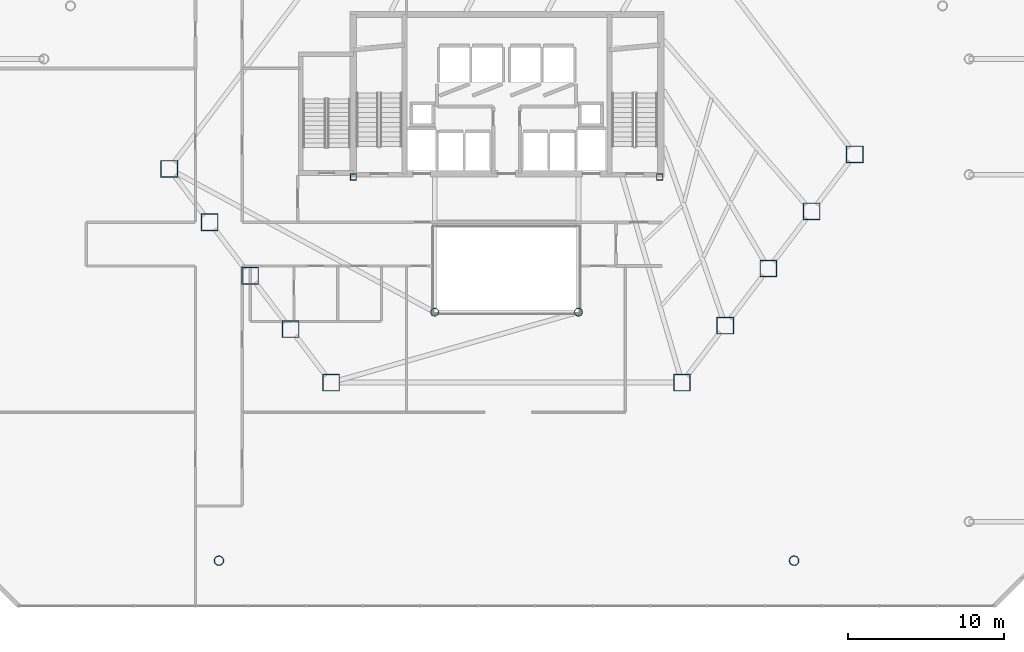
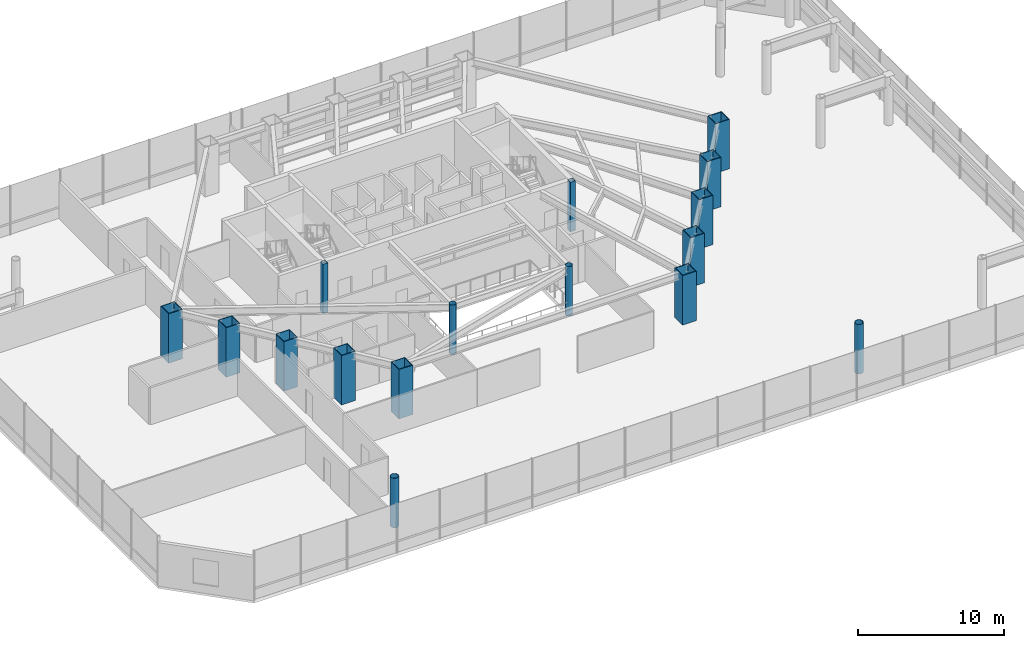
# One storey, part 1 of 37: 16 columns.
"""IFC4 building model written with IfcOpenShell, lengths in metres."""

from ifc_helpers import new_model, si_unit, direction, frame, origin, origin_2d, place, context, subcontext, project, spatial, hollow_rectangle, hollow_circle, extrude, material, material_profile, profile_set, type_object, element, save


model = new_model("IFC4")

# Units and contexts
model_context = context("Model", 3, precision=1e-05, world=origin(), true_north=direction((0.0, 1.0)))
body_context = subcontext(model_context, "Body", "Model", "MODEL_VIEW")
ifc_project = project(units=[si_unit("LENGTHUNIT", "METRE"), si_unit("AREAUNIT", "SQUARE_METRE"), si_unit("VOLUMEUNIT", "CUBIC_METRE"), si_unit("PLANEANGLEUNIT", "RADIAN"), si_unit("MASSUNIT", "GRAM", prefix="KILO")], contexts=[model_context])

# Site, building, storey
site_placement = place(None, origin())
site = spatial("IfcSite", under=ifc_project, at=site_placement, CompositionType="ELEMENT")
building_placement = place(site_placement, origin())
building = spatial("IfcBuilding", under=site, at=building_placement, Name="Zarrinselat Tower", CompositionType="ELEMENT")
storey_placement = place(building_placement, frame((0.0, 0.0, 13.93994140625)))
storey = spatial("IfcBuildingStorey", under=building, at=storey_placement, Name="L03", CompositionType="ELEMENT", Elevation=13.93994140625)

# Columns
ifc_material_1 = material(Name="Steel S355J2", Category="steel")
ifc_material_profile_1 = material_profile(ifc_material_1, hollow_circle(Radius=0.25390625, WallThickness=0.02001953125, at=origin_2d()), Name="CHS 508x20")
ifc_profile_set_1 = profile_set([ifc_material_profile_1], Name="Steel S355J2")
column_type_1 = type_object("IfcColumnType", Name="COL-CHS508", PredefinedType="COLUMN", material=ifc_profile_set_1)
for number, where, z_axis, x_axis, name in (
    (1, (33.800048828125, 24.39990234375, 0.0), (0.0, 0.0, 1.0), (1.0, 0.0, 0.0), "L03 Atrium Corner Column 1"),
    (2, (43.0, 24.39990234375, 0.0), (0.0, 0.0, 1.0), (1.0, 0.0, 0.0), "L03 Atrium Corner Column 2"),
):
    element("IfcColumn", number, at=place(storey_placement, frame(where, z_axis=z_axis, x_axis=x_axis)), inside=storey, type_object=column_type_1, Name=name, PredefinedType="COLUMN", context=body_context, shape_type="SweptSolid", body=[
        extrude(hollow_circle(Radius=0.25390625, WallThickness=0.02001953125, at=origin_2d()), origin(), (0.0, 0.0, 1.0), 4.14013671875),
    ])
ifc_material_2 = material(Name="Steel S355J2", Category="steel")
ifc_material_profile_2 = material_profile(ifc_material_2, hollow_circle(Radius=0.304931640625, WallThickness=0.02490234375, at=origin_2d()), Name="CHS 610x25")
ifc_profile_set_2 = profile_set([ifc_material_profile_2], Name="Steel S355J2")
column_type_2 = type_object("IfcColumnType", Name="COL-CHS610", PredefinedType="COLUMN", material=ifc_profile_set_2)
for number, where, z_axis, x_axis, name in (
    (3, (20.0, 8.5, 0.0), (0.0, 0.0, 1.0), (1.0, 0.0, 0.0), "L03 Garden Deck Support Column 1"),
    (4, (56.800048828125, 8.5, 0.0), (0.0, 0.0, 1.0), (1.0, 0.0, 0.0), "L03 Garden Deck Support Column 2"),
):
    element("IfcColumn", number, at=place(storey_placement, frame(where, z_axis=z_axis, x_axis=x_axis)), inside=storey, type_object=column_type_2, Name=name, PredefinedType="COLUMN", context=body_context, shape_type="SweptSolid", body=[
        extrude(hollow_circle(Radius=0.304931640625, WallThickness=0.02490234375, at=origin_2d()), origin(), (0.0, 0.0, 1.0), 4.14013671875),
    ])
ifc_material_3 = material(Name="Steel S460M", Category="steel")
ifc_material_profile_3 = material_profile(ifc_material_3, hollow_rectangle(XDim=1.10009765625, YDim=1.10009765625, WallThickness=0.054931640625, at=origin_2d()), Name="SHS 1100x1100x55")
ifc_profile_set_3 = profile_set([ifc_material_profile_3], Name="Steel S460M")
column_type_3 = type_object("IfcColumnType", Name="COL-SHS1100", PredefinedType="COLUMN", material=ifc_profile_set_3)
for number, where, z_axis, x_axis, name in (
    (5, (16.8154296875, 33.568115234375, 0.0), (0.0, 0.0, 1.0), (1.0, 0.0, 0.0), "L03 Framed-Tube Column T06"),
    (6, (19.40478515625, 30.14990234375, 0.0), (0.0, 0.0, 1.0), (1.0, 0.0, 0.0), "L03 Framed-Tube Column T07"),
    (7, (21.994384765625, 26.73193359375, 0.0), (0.0, 0.0, 1.0), (1.0, 0.0, 0.0), "L03 Framed-Tube Column T08"),
    (8, (24.58349609375, 23.31396484375, 0.0), (0.0, 0.0, 1.0), (1.0, 0.0, 0.0), "L03 Framed-Tube Column T09"),
    (9, (27.173095703125, 19.89599609375, 0.0), (0.0, 0.0, 1.0), (1.0, 0.0, 0.0), "L03 Framed-Tube Column T10"),
    (10, (49.626953125, 19.89599609375, 0.0), (0.0, 0.0, 1.0), (1.0, 0.0, 0.0), "L03 Framed-Tube Column T11"),
    (11, (52.391357421875, 23.544921875, 0.0), (0.0, 0.0, 1.0), (1.0, 0.0, 0.0), "L03 Framed-Tube Column T12"),
    (12, (55.15576171875, 27.194091796875, 0.0), (0.0, 0.0, 1.0), (1.0, 0.0, 0.0), "L03 Framed-Tube Column T13"),
    (13, (57.920166015625, 30.843017578125, 0.0), (0.0, 0.0, 1.0), (1.0, 0.0, 0.0), "L03 Framed-Tube Column T14"),
    (14, (60.6845703125, 34.491943359375, 0.0), (0.0, 0.0, 1.0), (1.0, 0.0, 0.0), "L03 Framed-Tube Column T15"),
):
    element("IfcColumn", number, at=place(storey_placement, frame(where, z_axis=z_axis, x_axis=x_axis)), inside=storey, type_object=column_type_3, Name=name, PredefinedType="COLUMN", context=body_context, shape_type="SweptSolid", body=[
        extrude(hollow_rectangle(XDim=1.10009765625, YDim=1.10009765625, WallThickness=0.054931640625, at=origin_2d()), origin(), (0.0, 0.0, 1.0), 4.14013671875),
    ])
ifc_material_4 = material(Name="Steel S355J2", Category="steel")
ifc_material_profile_4 = material_profile(ifc_material_4, hollow_rectangle(XDim=0.39990234375, YDim=0.39990234375, WallThickness=0.02001953125, at=origin_2d()), Name="SHS 400x400x20")
ifc_profile_set_4 = profile_set([ifc_material_profile_4], Name="Steel S355J2")
column_type_4 = type_object("IfcColumnType", Name="COL-SHS400", PredefinedType="PILASTER", material=ifc_profile_set_4)
for number, where, z_axis, x_axis, name in (
    (15, (28.60009765625, 33.050048828125, 0.0), (0.0, 0.0, 1.0), (1.0, 0.0, 0.0), "L03 Gallery Structural Pilaster 1"),
    (16, (48.199951171875, 33.050048828125, 0.0), (0.0, 0.0, 1.0), (1.0, 0.0, 0.0), "L03 Gallery Structural Pilaster 2"),
):
    element("IfcColumn", number, at=place(storey_placement, frame(where, z_axis=z_axis, x_axis=x_axis)), inside=storey, type_object=column_type_4, Name=name, PredefinedType="PILASTER", context=body_context, shape_type="SweptSolid", body=[
        extrude(hollow_rectangle(XDim=0.39990234375, YDim=0.39990234375, WallThickness=0.02001953125, at=origin_2d()), origin(), (0.0, 0.0, 1.0), 4.14013671875),
    ])

save(model, "model.ifc")
